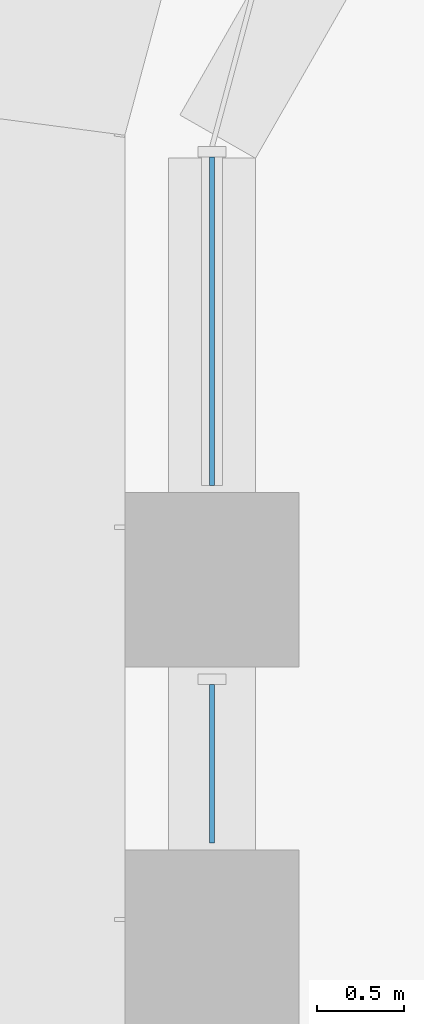
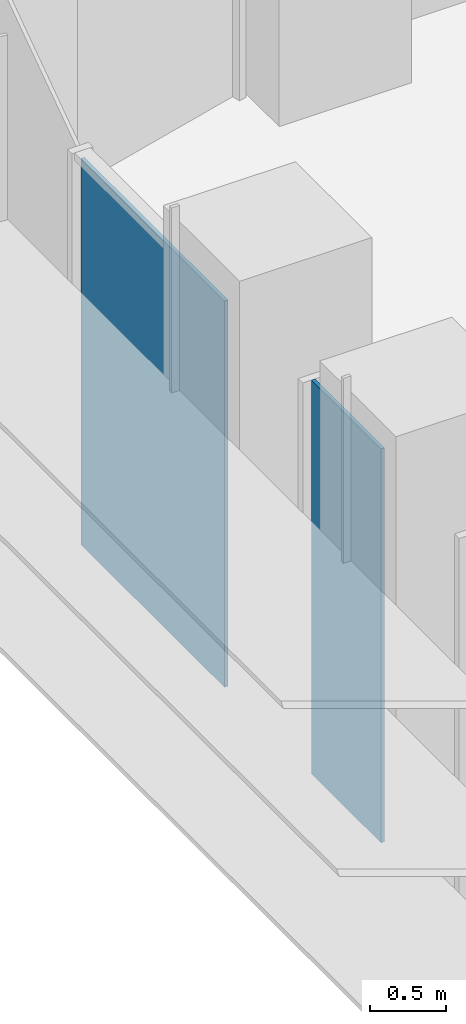
# One storey, part 14 of 23: 2 plates, 1 element without a shape of its own.
"""IFC4 building model written with IfcOpenShell, lengths in metres."""

from ifc_helpers import new_model, si_unit, direction, frame, origin, place, context, subcontext, project, spatial, polyline, outline, extrude, source, transform, mapped, material, layer, layer_set, type_object, element, aggregate, save


model = new_model("IFC4")

# Units and contexts
model_context = context("Model", 3, precision=1e-05, world=origin(), true_north=direction((0.0, 1.0)))
body_context = subcontext(model_context, "Body", "Model", "MODEL_VIEW")
ifc_project = project(units=[si_unit("LENGTHUNIT", "METRE"), si_unit("AREAUNIT", "SQUARE_METRE"), si_unit("VOLUMEUNIT", "CUBIC_METRE"), si_unit("PLANEANGLEUNIT", "RADIAN"), si_unit("MASSUNIT", "GRAM", prefix="KILO")], contexts=[model_context])

# Site, building, storey
site_placement = place(None, origin())
site = spatial("IfcSite", under=ifc_project, at=site_placement, CompositionType="ELEMENT")
building_placement = place(site_placement, origin())
building = spatial("IfcBuilding", under=site, at=building_placement, Name="Zarbagh Exchange Tower", CompositionType="ELEMENT")
storey_placement = place(building_placement, frame((0.0, 0.0, 31.199951171875)))
storey = spatial("IfcBuildingStorey", under=building, at=storey_placement, Name="L06", CompositionType="ELEMENT", Elevation=31.199951171875)

# Curtain wall, plates
ifc_material_1 = material(Name="Anodised aluminium frame and glazing", Category="aluminium")
curtain_wall_type = type_object("IfcCurtainWallType", Name="CWA Ribbon glazing, lower zones", PredefinedType="NOTDEFINED", material=ifc_material_1)
curtain_wall_placement = place(storey_placement, origin())
curtain_wall = element("IfcCurtainWall", 1, at=curtain_wall_placement, inside=storey, type_object=curtain_wall_type, Name="CWA28 curtain wall", PredefinedType="NOTDEFINED")
ifc_material_2 = material(Name="Low-e double glazed unit, 6+12+6 mm")
ifc_layer = layer(ifc_material_2, 0.028076171875)
ifc_layer_set = layer_set([ifc_layer], Name="PAA Glazing panel, Low-e double glazed unit, 6+12+6 mm")
plate_type = type_object("IfcPlateType", Name="PAA Glazing panel, Low-e double glazed unit, 6+12+6 mm", PredefinedType="CURTAIN_PANEL", material=ifc_layer_set)
shared_shape_1 = source(origin(), body_context, "Body", "SweptSolid", [
    extrude(outline(polyline([(0.0, -0.013916015625), (0.909912109375, -0.013916015625), (0.909912109375, 0.013916015625), (0.0, 0.013916015625), (0.0, -0.013916015625)])), origin(), (0.0, 0.0, 1.0), 3.14990234375),
])
placement = place(storey_placement, origin())
plate_1 = element("IfcPlate", 2, at=placement, type_object=plate_type, Name="CWA28 glazing panel 2.1", PredefinedType="CURTAIN_PANEL", context=body_context, shape_type="MappedRepresentation", body=[
    mapped(shared_shape_1, transform((-6.25, 26.099853515625, 0.0), x_axis=(0.0, -1.0, 0.0), y_axis=(1.0, 0.0, 0.0), z_axis=(0.0, 0.0, 1.0))),
])
shared_shape_2 = source(origin(), body_context, "Body", "SweptSolid", [
    extrude(outline(polyline([(0.0, -0.013916015625), (1.88427734375, -0.013916015625), (1.88427734375, 0.013916015625), (0.0, 0.013916015625), (0.0, -0.013916015625)])), origin(), (0.0, 0.0, 1.0), 3.090087890625),
])
plate_2 = element("IfcPlate", 3, at=placement, type_object=plate_type, Name="CWA28 glazing panel 1.1", PredefinedType="CURTAIN_PANEL", context=body_context, shape_type="MappedRepresentation", body=[
    mapped(shared_shape_2, transform((-6.25, 29.124267578125, 0.0), x_axis=(0.0, -1.0, 0.0), y_axis=(1.0, 0.0, 0.0), z_axis=(0.0, 0.0, 1.0))),
])
aggregate(curtain_wall, [plate_2, plate_1])

save(model, "model.ifc")
